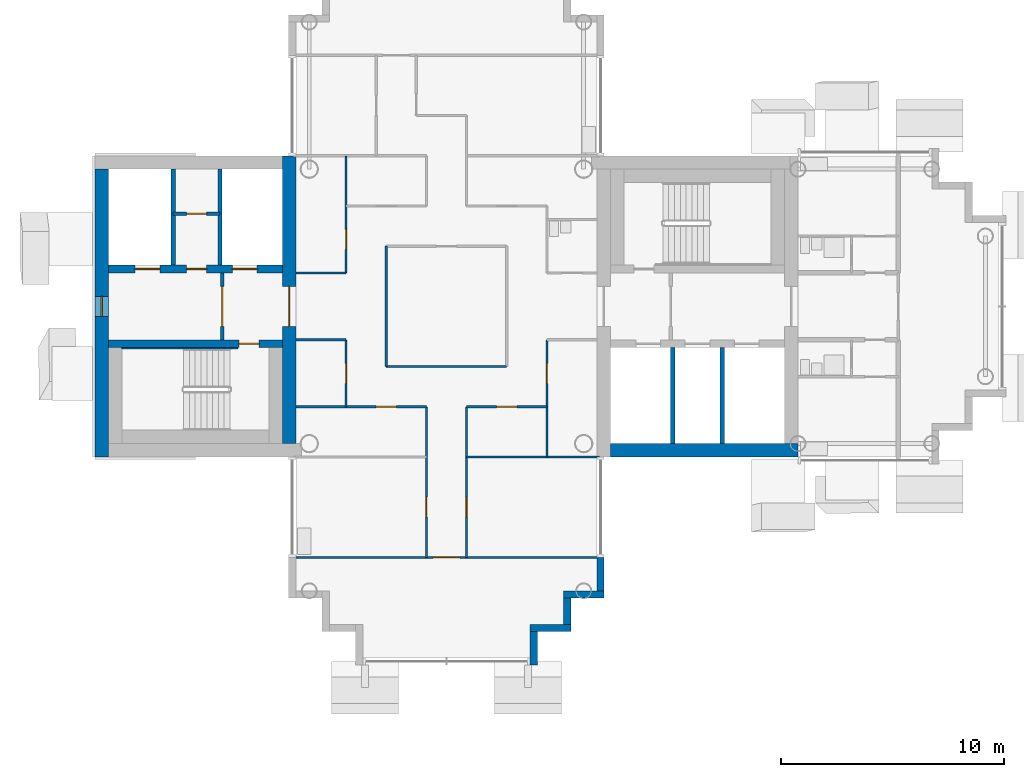
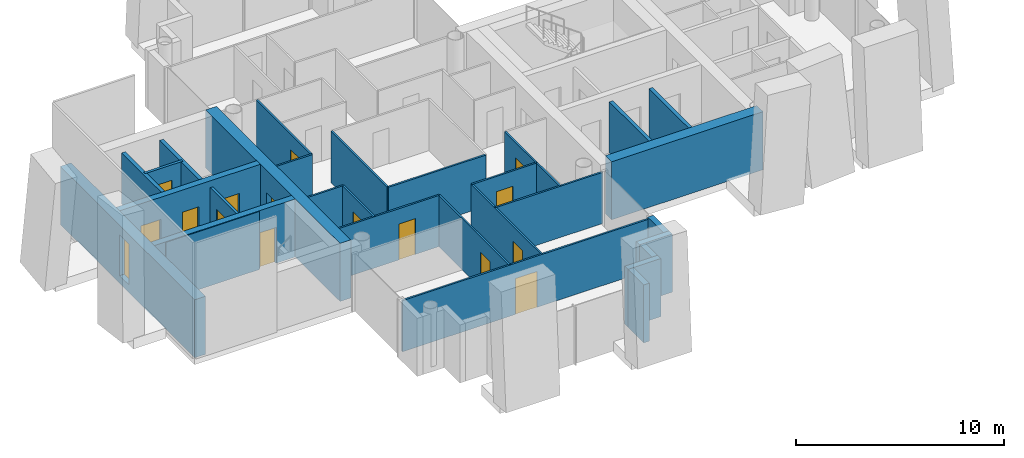
# One storey, part 6 of 19: 30 walls, 15 doors, 1 window, 16 openings.
"""IFC4 building model written with IfcOpenShell, lengths in metres."""

from ifc_helpers import new_model, si_unit, direction, frame, frame_2d, origin, place, context, subcontext, project, spatial, rectangle, extrude, material, layer, layer_set, type_object, element, fill, save


model = new_model("IFC4")

# Units and contexts
model_context = context("Model", 3, precision=1e-05, world=origin(), true_north=direction((0.0, 1.0)))
body_context = subcontext(model_context, "Body", "Model", "MODEL_VIEW")
ifc_project = project(units=[si_unit("LENGTHUNIT", "METRE"), si_unit("AREAUNIT", "SQUARE_METRE"), si_unit("VOLUMEUNIT", "CUBIC_METRE"), si_unit("PLANEANGLEUNIT", "RADIAN"), si_unit("MASSUNIT", "GRAM", prefix="KILO")], contexts=[model_context])

# Site, building, storey
site_placement = place(None, origin())
site = spatial("IfcSite", under=ifc_project, at=site_placement, CompositionType="ELEMENT")
building_placement = place(site_placement, origin())
building = spatial("IfcBuilding", under=site, at=building_placement, Name="Ipe Terrace Towers", CompositionType="ELEMENT")
storey_placement = place(building_placement, frame((0.0, 0.0, 189.199951171875)))
storey = spatial("IfcBuildingStorey", under=building, at=storey_placement, Name="L52", CompositionType="ELEMENT", Elevation=189.199951171875)

# Walls
ifc_material_1 = material(Name="Concrete C40/50 with buff precast cladding", Category="concrete")
ifc_layer_1 = layer(ifc_material_1, 0.320068359375)
ifc_layer_set_1 = layer_set([ifc_layer_1], Name="BUFF CLADDING WALL 320")
wall_type_1 = type_object("IfcWallType", Name="BUFF CLADDING WALL 320", PredefinedType="STANDARD", material=ifc_layer_set_1)
wall_1_placement = place(storey_placement, frame((-32.090087890625, -16.070068359375, -0.300048828125), z_axis=(0.0, 0.0, 1.0), x_axis=(0.0, 1.0, 0.0)))
element("IfcWall", 1, at=wall_1_placement, inside=storey, type_object=wall_type_1, Name="T1-W-L52-09a wall", PredefinedType="STANDARD", context=body_context, shape_type="SweptSolid", body=[
    extrude(rectangle(XDim=1.5, YDim=0.320068359375, at=frame_2d((0.75, 0.0))), origin(), (0.0, 0.0, 1.0), 3.400146484375),
])
wall_2_placement = place(storey_placement, frame((-32.25, -14.409912109375, -0.300048828125), z_axis=(0.0, 0.0, 1.0), x_axis=(1.0, 0.0, 0.0)))
element("IfcWall", 2, at=wall_2_placement, inside=storey, type_object=wall_type_1, Name="T1-W-L52-10a wall", PredefinedType="STANDARD", context=body_context, shape_type="SweptSolid", body=[
    extrude(rectangle(XDim=1.820068359375, YDim=0.320068359375, at=frame_2d((0.91015625, 0.0))), origin(), (0.0, 0.0, 1.0), 3.400146484375),
])
wall_3_placement = place(storey_placement, frame((-30.590087890625, -14.25, -0.300048828125), z_axis=(0.0, 0.0, 1.0), x_axis=(0.0, 1.0, 0.0)))
element("IfcWall", 3, at=wall_3_placement, inside=storey, type_object=wall_type_1, Name="T1-W-L52-11a wall", PredefinedType="STANDARD", context=body_context, shape_type="SweptSolid", body=[
    extrude(rectangle(XDim=1.179931640625, YDim=0.320068359375, at=frame_2d((0.58984375, 0.0))), origin(), (0.0, 0.0, 1.0), 3.400146484375),
])
wall_4_placement = place(storey_placement, frame((-30.75, -12.909912109375, -0.300048828125), z_axis=(0.0, 0.0, 1.0), x_axis=(1.0, 0.0, 0.0)))
element("IfcWall", 4, at=wall_4_placement, inside=storey, type_object=wall_type_1, Name="T1-W-L52-12a wall", PredefinedType="STANDARD", context=body_context, shape_type="SweptSolid", body=[
    extrude(rectangle(XDim=1.820068359375, YDim=0.320068359375, at=frame_2d((0.91015625, 0.0))), origin(), (0.0, 0.0, 1.0), 3.400146484375),
])
wall_5_placement = place(storey_placement, frame((-29.090087890625, -12.75, -0.300048828125), z_axis=(0.0, 0.0, 1.0), x_axis=(0.0, 1.0, 0.0)))
element("IfcWall", 5, at=wall_5_placement, inside=storey, type_object=wall_type_1, Name="T1-W-L52-13a wall", PredefinedType="STANDARD", context=body_context, shape_type="SweptSolid", body=[
    extrude(rectangle(XDim=1.5, YDim=0.320068359375, at=frame_2d((0.75, 0.0))), origin(), (0.0, 0.0, 1.0), 3.400146484375),
])

# Wall, opening, door
ifc_material_2 = material(Name="Gypsum board partition", Category="plasterboard")
ifc_layer_2 = layer(ifc_material_2, 0.10009765625)
ifc_layer_set_2 = layer_set([ifc_layer_2], Name="Gypsum board partition 100 mm")
wall_type_2 = type_object("IfcWallType", Name="Gypsum board partition 100 mm", PredefinedType="PARTITIONING", material=ifc_layer_set_2)
wall_6_placement = place(storey_placement, frame((-40.5, -4.5, 0.0), z_axis=(0.0, 0.0, 1.0), x_axis=(0.0, 1.0, 0.0)))
wall_6 = element("IfcWall", 6, at=wall_6_placement, inside=storey, type_object=wall_type_2, Name="Gypsum board partition T1 L52 W01", PredefinedType="PARTITIONING", context=body_context, shape_type="SweptSolid", body=[
    extrude(rectangle(XDim=3.0, YDim=0.10009765625, at=frame_2d((1.5, 0.0))), origin(), (0.0, 0.0, 1.0), 3.0),
])
opening_1_placement = place(wall_6_placement, frame((1.050048828125, 0.0, 0.0)))
opening_1 = element("IfcOpeningElement", 7, at=opening_1_placement, cuts=wall_6, Name="Opening T1-Z4C-07", PredefinedType="OPENING", context=body_context, shape_type="SweptSolid", body=[
    extrude(rectangle(XDim=0.89990234375, YDim=2.10009765625, at=frame_2d((0.449951171875, 1.050048828125))), frame((0.0, 0.06005859375, 0.0), z_axis=(0.0, -1.0, 0.0), x_axis=(1.0, 0.0, 0.0)), (0.0, 0.0, 1.0), 0.1201171875),
])
ifc_material_3 = material(Name="Timber door leaf", Category="wood")
door_type_1 = type_object("IfcDoorType", Name="Lounge door 900 x 2100", OperationType="NOTDEFINED", PredefinedType="DOOR", material=ifc_material_3)
door_1_placement = place(opening_1_placement, origin())
door_1 = element("IfcDoor", 8, at=door_1_placement, inside=storey, type_object=door_type_1, Name="Lounge door T1-Z4C-07", OperationType="SINGLE_SWING_LEFT", OverallHeight=2.10009765625, OverallWidth=0.89990234375, PredefinedType="DOOR", context=body_context, shape_type="SweptSolid", body=[
    extrude(rectangle(XDim=0.89990234375, YDim=2.10009765625, at=frame_2d((0.449951171875, 1.050048828125))), frame((0.0, 0.02490234375, 0.0), z_axis=(0.0, -1.0, 0.0), x_axis=(1.0, 0.0, 0.0)), (0.0, 0.0, 1.0), 0.050048828125),
])
fill(opening_1, door_1)

wall_7_placement = place(storey_placement, frame((-40.5, 1.5, 0.0), z_axis=(0.0, 0.0, 1.0), x_axis=(0.0, 1.0, 0.0)))
wall_7 = element("IfcWall", 9, at=wall_7_placement, inside=storey, type_object=wall_type_2, Name="Gypsum board partition T1 L52 W02", PredefinedType="PARTITIONING", context=body_context, shape_type="SweptSolid", body=[
    extrude(rectangle(XDim=5.25, YDim=0.10009765625, at=frame_2d((2.625, 0.0))), origin(), (0.0, 0.0, 1.0), 3.0),
])
opening_2_placement = place(wall_7_placement, frame((1.050048828125, 0.0, 0.0)))
opening_2 = element("IfcOpeningElement", 10, at=opening_2_placement, cuts=wall_7, Name="Opening T1-Z4C-05", PredefinedType="OPENING", context=body_context, shape_type="SweptSolid", body=[
    extrude(rectangle(XDim=0.89990234375, YDim=2.10009765625, at=frame_2d((0.449951171875, 1.050048828125))), frame((0.0, 0.06005859375, 0.0), z_axis=(0.0, -1.0, 0.0), x_axis=(1.0, 0.0, 0.0)), (0.0, 0.0, 1.0), 0.1201171875),
])
door_2_placement = place(opening_2_placement, origin())
door_2 = element("IfcDoor", 11, at=door_2_placement, inside=storey, type_object=door_type_1, Name="Lounge door T1-Z4C-05", OperationType="SINGLE_SWING_RIGHT", OverallHeight=2.10009765625, OverallWidth=0.89990234375, PredefinedType="DOOR", context=body_context, shape_type="SweptSolid", body=[
    extrude(rectangle(XDim=0.89990234375, YDim=2.10009765625, at=frame_2d((0.449951171875, 1.050048828125))), frame((0.0, 0.02490234375, 0.0), z_axis=(0.0, -1.0, 0.0), x_axis=(1.0, 0.0, 0.0)), (0.0, 0.0, 1.0), 0.050048828125),
])
fill(opening_2, door_2)

# Wall
wall_8_placement = place(storey_placement, frame((-38.699951171875, -2.699951171875, 0.0), z_axis=(0.0, 0.0, 1.0), x_axis=(0.0, 1.0, 0.0)))
element("IfcWall", 12, at=wall_8_placement, inside=storey, type_object=wall_type_2, Name="Gypsum board partition T1 L52 W04", PredefinedType="PARTITIONING", context=body_context, shape_type="SweptSolid", body=[
    extrude(rectangle(XDim=5.39990234375, YDim=0.10009765625, at=frame_2d((2.699951171875, 0.0))), origin(), (0.0, 0.0, 1.0), 3.0),
])

# Wall, opening, door
wall_9_placement = place(storey_placement, frame((-36.89990234375, -11.25, 0.0), z_axis=(0.0, 0.0, 1.0), x_axis=(0.0, 1.0, 0.0)))
wall_9 = element("IfcWall", 13, at=wall_9_placement, inside=storey, type_object=wall_type_2, Name="Gypsum board partition T1 L52 W06", PredefinedType="PARTITIONING", context=body_context, shape_type="SweptSolid", body=[
    extrude(rectangle(XDim=6.75, YDim=0.10009765625, at=frame_2d((3.375, 0.0))), origin(), (0.0, 0.0, 1.0), 3.0),
])
opening_3_placement = place(wall_9_placement, frame((1.800048828125, 0.0, 0.0)))
opening_3 = element("IfcOpeningElement", 14, at=opening_3_placement, cuts=wall_9, Name="Opening T1-Z4C-14", PredefinedType="OPENING", context=body_context, shape_type="SweptSolid", body=[
    extrude(rectangle(XDim=0.89990234375, YDim=2.10009765625, at=frame_2d((0.449951171875, 1.050048828125))), frame((0.0, 0.06005859375, 0.0), z_axis=(0.0, -1.0, 0.0), x_axis=(1.0, 0.0, 0.0)), (0.0, 0.0, 1.0), 0.1201171875),
])
door_3_placement = place(opening_3_placement, origin())
door_3 = element("IfcDoor", 15, at=door_3_placement, inside=storey, type_object=door_type_1, Name="Lounge door T1-Z4C-14", OperationType="SINGLE_SWING_RIGHT", OverallHeight=2.10009765625, OverallWidth=0.89990234375, PredefinedType="DOOR", context=body_context, shape_type="SweptSolid", body=[
    extrude(rectangle(XDim=0.89990234375, YDim=2.10009765625, at=frame_2d((0.449951171875, 1.050048828125))), frame((0.0, 0.02490234375, 0.0), z_axis=(0.0, -1.0, 0.0), x_axis=(1.0, 0.0, 0.0)), (0.0, 0.0, 1.0), 0.050048828125),
])
fill(opening_3, door_3)

wall_10_placement = place(storey_placement, frame((-35.10009765625, -11.25, 0.0), z_axis=(0.0, 0.0, 1.0), x_axis=(0.0, 1.0, 0.0)))
wall_10 = element("IfcWall", 16, at=wall_10_placement, inside=storey, type_object=wall_type_2, Name="Gypsum board partition T1 L52 W08", PredefinedType="PARTITIONING", context=body_context, shape_type="SweptSolid", body=[
    extrude(rectangle(XDim=6.75, YDim=0.10009765625, at=frame_2d((3.375, 0.0))), origin(), (0.0, 0.0, 1.0), 3.0),
])
opening_4_placement = place(wall_10_placement, frame((1.800048828125, 0.0, 0.0)))
opening_4 = element("IfcOpeningElement", 17, at=opening_4_placement, cuts=wall_10, Name="Opening T1-Z4C-13", PredefinedType="OPENING", context=body_context, shape_type="SweptSolid", body=[
    extrude(rectangle(XDim=0.89990234375, YDim=2.10009765625, at=frame_2d((0.449951171875, 1.050048828125))), frame((0.0, 0.06005859375, 0.0), z_axis=(0.0, -1.0, 0.0), x_axis=(1.0, 0.0, 0.0)), (0.0, 0.0, 1.0), 0.1201171875),
])
door_4_placement = place(opening_4_placement, origin())
door_4 = element("IfcDoor", 18, at=door_4_placement, inside=storey, type_object=door_type_1, Name="Lounge door T1-Z4C-13", OperationType="SINGLE_SWING_LEFT", OverallHeight=2.10009765625, OverallWidth=0.89990234375, PredefinedType="DOOR", context=body_context, shape_type="SweptSolid", body=[
    extrude(rectangle(XDim=0.89990234375, YDim=2.10009765625, at=frame_2d((0.449951171875, 1.050048828125))), frame((0.0, 0.02490234375, 0.0), z_axis=(0.0, -1.0, 0.0), x_axis=(1.0, 0.0, 0.0)), (0.0, 0.0, 1.0), 0.050048828125),
])
fill(opening_4, door_4)

wall_11_placement = place(storey_placement, frame((-31.5, -6.75, 0.0), z_axis=(0.0, 0.0, 1.0), x_axis=(0.0, 1.0, 0.0)))
wall_11 = element("IfcWall", 19, at=wall_11_placement, inside=storey, type_object=wall_type_2, Name="Gypsum board partition T1 L52 W11", PredefinedType="PARTITIONING", context=body_context, shape_type="SweptSolid", body=[
    extrude(rectangle(XDim=5.25, YDim=0.10009765625, at=frame_2d((2.625, 0.0))), origin(), (0.0, 0.0, 1.0), 3.0),
])
opening_5_placement = place(wall_11_placement, frame((3.300048828125, 0.0, 0.0)))
opening_5 = element("IfcOpeningElement", 20, at=opening_5_placement, cuts=wall_11, Name="Opening T1-Z4C-09", PredefinedType="OPENING", context=body_context, shape_type="SweptSolid", body=[
    extrude(rectangle(XDim=0.89990234375, YDim=2.10009765625, at=frame_2d((0.449951171875, 1.050048828125))), frame((0.0, 0.06005859375, 0.0), z_axis=(0.0, -1.0, 0.0), x_axis=(1.0, 0.0, 0.0)), (0.0, 0.0, 1.0), 0.1201171875),
])
door_5_placement = place(opening_5_placement, origin())
door_5 = element("IfcDoor", 21, at=door_5_placement, inside=storey, type_object=door_type_1, Name="Lounge door T1-Z4C-09", OperationType="SINGLE_SWING_RIGHT", OverallHeight=2.10009765625, OverallWidth=0.89990234375, PredefinedType="DOOR", context=body_context, shape_type="SweptSolid", body=[
    extrude(rectangle(XDim=0.89990234375, YDim=2.10009765625, at=frame_2d((0.449951171875, 1.050048828125))), frame((0.0, 0.02490234375, 0.0), z_axis=(0.0, -1.0, 0.0), x_axis=(1.0, 0.0, 0.0)), (0.0, 0.0, 1.0), 0.050048828125),
])
fill(opening_5, door_5)

wall_12_placement = place(storey_placement, frame((-42.85009765625, -11.25, 0.0), z_axis=(0.0, 0.0, 1.0), x_axis=(1.0, 0.0, 0.0)))
wall_12 = element("IfcWall", 22, at=wall_12_placement, inside=storey, type_object=wall_type_2, Name="Gypsum board partition T1 L52 W18", PredefinedType="PARTITIONING", context=body_context, shape_type="SweptSolid", body=[
    extrude(rectangle(XDim=13.7001953125, YDim=0.10009765625, at=frame_2d((6.85009765625, 0.0))), origin(), (0.0, 0.0, 1.0), 3.0),
])
opening_6_placement = place(wall_12_placement, frame((6.25, 0.0, 0.0)))
opening_6 = element("IfcOpeningElement", 23, at=opening_6_placement, cuts=wall_12, Name="Opening T1-Z4C-15", PredefinedType="OPENING", context=body_context, shape_type="SweptSolid", body=[
    extrude(rectangle(XDim=1.199951171875, YDim=2.10009765625, at=frame_2d((0.60009765625, 1.050048828125))), frame((0.0, 0.06005859375, 0.0), z_axis=(0.0, -1.0, 0.0), x_axis=(1.0, 0.0, 0.0)), (0.0, 0.0, 1.0), 0.1201171875),
])
ifc_material_4 = material(Name="Timber door leaf", Category="wood")
door_type_2 = type_object("IfcDoorType", Name="Lounge door 1200 x 2100", OperationType="NOTDEFINED", PredefinedType="DOOR", material=ifc_material_4)
door_6_placement = place(opening_6_placement, origin())
door_6 = element("IfcDoor", 24, at=door_6_placement, inside=storey, type_object=door_type_2, Name="Lounge door T1-Z4C-15", OperationType="SINGLE_SWING_RIGHT", OverallHeight=2.10009765625, OverallWidth=1.199951171875, PredefinedType="DOOR", context=body_context, shape_type="SweptSolid", body=[
    extrude(rectangle(XDim=1.199951171875, YDim=2.10009765625, at=frame_2d((0.60009765625, 1.050048828125))), frame((0.0, 0.02490234375, 0.0), z_axis=(0.0, -1.0, 0.0), x_axis=(1.0, 0.0, 0.0)), (0.0, 0.0, 1.0), 0.050048828125),
])
fill(opening_6, door_6)

# Wall
wall_13_placement = place(storey_placement, frame((-35.10009765625, -6.75, 0.0), z_axis=(0.0, 0.0, 1.0), x_axis=(1.0, 0.0, 0.0)))
element("IfcWall", 25, at=wall_13_placement, inside=storey, type_object=wall_type_2, Name="Gypsum board partition T1 L52 W20", PredefinedType="PARTITIONING", context=body_context, shape_type="SweptSolid", body=[
    extrude(rectangle(XDim=5.9501953125, YDim=0.10009765625, at=frame_2d((2.97509765625, 0.0))), origin(), (0.0, 0.0, 1.0), 3.0),
])

# Wall, opening, door
wall_14_placement = place(storey_placement, frame((-42.75, -4.5, 0.0), z_axis=(0.0, 0.0, 1.0), x_axis=(1.0, 0.0, 0.0)))
wall_14 = element("IfcWall", 26, at=wall_14_placement, inside=storey, type_object=wall_type_2, Name="Gypsum board partition T1 L52 W21", PredefinedType="PARTITIONING", context=body_context, shape_type="SweptSolid", body=[
    extrude(rectangle(XDim=5.85009765625, YDim=0.10009765625, at=frame_2d((2.925048828125, 0.0))), origin(), (0.0, 0.0, 1.0), 3.0),
])
opening_7_placement = place(wall_14_placement, frame((3.60009765625, 0.0, 0.0)))
opening_7 = element("IfcOpeningElement", 27, at=opening_7_placement, cuts=wall_14, Name="Opening T1-Z4C-06", PredefinedType="OPENING", context=body_context, shape_type="SweptSolid", body=[
    extrude(rectangle(XDim=0.89990234375, YDim=2.10009765625, at=frame_2d((0.449951171875, 1.050048828125))), frame((0.0, 0.06005859375, 0.0), z_axis=(0.0, -1.0, 0.0), x_axis=(1.0, 0.0, 0.0)), (0.0, 0.0, 1.0), 0.1201171875),
])
door_7_placement = place(opening_7_placement, origin())
door_7 = element("IfcDoor", 28, at=door_7_placement, inside=storey, type_object=door_type_1, Name="Lounge door T1-Z4C-06", OperationType="SINGLE_SWING_RIGHT", OverallHeight=2.10009765625, OverallWidth=0.89990234375, PredefinedType="DOOR", context=body_context, shape_type="SweptSolid", body=[
    extrude(rectangle(XDim=0.89990234375, YDim=2.10009765625, at=frame_2d((0.449951171875, 1.050048828125))), frame((0.0, 0.02490234375, 0.0), z_axis=(0.0, -1.0, 0.0), x_axis=(1.0, 0.0, 0.0)), (0.0, 0.0, 1.0), 0.050048828125),
])
fill(opening_7, door_7)

wall_15_placement = place(storey_placement, frame((-35.10009765625, -4.5, 0.0), z_axis=(0.0, 0.0, 1.0), x_axis=(1.0, 0.0, 0.0)))
wall_15 = element("IfcWall", 29, at=wall_15_placement, inside=storey, type_object=wall_type_2, Name="Gypsum board partition T1 L52 W22", PredefinedType="PARTITIONING", context=body_context, shape_type="SweptSolid", body=[
    extrude(rectangle(XDim=3.60009765625, YDim=0.10009765625, at=frame_2d((1.800048828125, 0.0))), origin(), (0.0, 0.0, 1.0), 3.0),
])
opening_8_placement = place(wall_15_placement, frame((1.35009765625, 0.0, 0.0)))
opening_8 = element("IfcOpeningElement", 30, at=opening_8_placement, cuts=wall_15, Name="Opening T1-Z4C-08", PredefinedType="OPENING", context=body_context, shape_type="SweptSolid", body=[
    extrude(rectangle(XDim=0.89990234375, YDim=2.10009765625, at=frame_2d((0.449951171875, 1.050048828125))), frame((0.0, 0.06005859375, 0.0), z_axis=(0.0, -1.0, 0.0), x_axis=(1.0, 0.0, 0.0)), (0.0, 0.0, 1.0), 0.1201171875),
])
door_8_placement = place(opening_8_placement, origin())
door_8 = element("IfcDoor", 31, at=door_8_placement, inside=storey, type_object=door_type_1, Name="Lounge door T1-Z4C-08", OperationType="SINGLE_SWING_RIGHT", OverallHeight=2.10009765625, OverallWidth=0.89990234375, PredefinedType="DOOR", context=body_context, shape_type="SweptSolid", body=[
    extrude(rectangle(XDim=0.89990234375, YDim=2.10009765625, at=frame_2d((0.449951171875, 1.050048828125))), frame((0.0, 0.02490234375, 0.0), z_axis=(0.0, -1.0, 0.0), x_axis=(1.0, 0.0, 0.0)), (0.0, 0.0, 1.0), 0.050048828125),
])
fill(opening_8, door_8)

# Walls
wall_16_placement = place(storey_placement, frame((-38.699951171875, -2.699951171875, 0.0), z_axis=(0.0, 0.0, 1.0), x_axis=(1.0, 0.0, 0.0)))
element("IfcWall", 32, at=wall_16_placement, inside=storey, type_object=wall_type_2, Name="Gypsum board partition T1 L52 W24", PredefinedType="PARTITIONING", context=body_context, shape_type="SweptSolid", body=[
    extrude(rectangle(XDim=5.39990234375, YDim=0.10009765625, at=frame_2d((2.699951171875, 0.0))), origin(), (0.0, 0.0, 1.0), 3.0),
])
for number, where, z_axis, x_axis, name in (
    (33, (-42.75, -1.5, 0.0), (0.0, 0.0, 1.0), (1.0, 0.0, 0.0), "Gypsum board partition T1 L52 W25"),
    (34, (-42.75, 1.5, 0.0), (0.0, 0.0, 1.0), (1.0, 0.0, 0.0), "Gypsum board partition T1 L52 W28"),
):
    element("IfcWall", number, at=place(storey_placement, frame(where, z_axis=z_axis, x_axis=x_axis)), inside=storey, type_object=wall_type_2, Name=name, PredefinedType="PARTITIONING", context=body_context, shape_type="SweptSolid", body=[
        extrude(rectangle(XDim=2.25, YDim=0.10009765625, at=frame_2d((1.125, 0.0))), origin(), (0.0, 0.0, 1.0), 3.0),
    ])

# Wall, opening, door
ifc_material_5 = material(Name="Gypsum board partition", Category="plasterboard")
ifc_layer_3 = layer(ifc_material_5, 0.14990234375)
ifc_layer_set_3 = layer_set([ifc_layer_3], Name="Gypsum board partition 150 mm")
wall_type_3 = type_object("IfcWallType", Name="Gypsum board partition 150 mm", PredefinedType="PARTITIONING", material=ifc_layer_set_3)
wall_17_placement = place(storey_placement, frame((-46.050048828125, 1.5, 0.0), z_axis=(0.0, 0.0, 1.0), x_axis=(0.0, -1.0, 0.0)))
wall_17 = element("IfcWall", 35, at=wall_17_placement, inside=storey, type_object=wall_type_3, Name="Gypsum board partition T1 L52 t1c2-lobby-wall", PredefinedType="PARTITIONING", context=body_context, shape_type="SweptSolid", body=[
    extrude(rectangle(XDim=3.0, YDim=0.14990234375, at=frame_2d((1.5, 0.0))), origin(), (0.0, 0.0, 1.0), 3.0),
])
opening_9_placement = place(wall_17_placement, frame((0.60009765625, 0.0, 0.0)))
opening_9 = element("IfcOpeningElement", 36, at=opening_9_placement, cuts=wall_17, Name="Opening T1C2-VD", PredefinedType="OPENING", context=body_context, shape_type="SweptSolid", body=[
    extrude(rectangle(XDim=1.800048828125, YDim=2.10009765625, at=frame_2d((0.89990234375, 1.050048828125))), frame((0.0, 0.0849609375, 0.0), z_axis=(0.0, -1.0, 0.0), x_axis=(1.0, 0.0, 0.0)), (0.0, 0.0, 1.0), 0.169921875),
])
ifc_material_6 = material(Name="Fire-rated timber door leaf", Category="wood")
door_type_3 = type_object("IfcDoorType", Name="Lobby door 1800 x 2100 FD60", OperationType="NOTDEFINED", PredefinedType="DOOR", material=ifc_material_6)
door_9_placement = place(opening_9_placement, origin())
door_9 = element("IfcDoor", 37, at=door_9_placement, inside=storey, type_object=door_type_3, Name="Lobby door T1C2-VD", OperationType="SINGLE_SWING_LEFT", OverallHeight=2.10009765625, OverallWidth=1.800048828125, PredefinedType="DOOR", context=body_context, shape_type="SweptSolid", body=[
    extrude(rectangle(XDim=1.800048828125, YDim=2.10009765625, at=frame_2d((0.89990234375, 1.050048828125))), frame((0.0, 0.02490234375, 0.0), z_axis=(0.0, -1.0, 0.0), x_axis=(1.0, 0.0, 0.0)), (0.0, 0.0, 1.0), 0.050048828125),
])
fill(opening_9, door_9)

wall_18_placement = place(storey_placement, frame((-46.14990234375, 4.14990234375, 0.0), z_axis=(0.0, 0.0, 1.0), x_axis=(-1.0, 0.0, 0.0)))
wall_18 = element("IfcWall", 38, at=wall_18_placement, inside=storey, type_object=wall_type_3, Name="Gypsum board partition T1 L52 t1c2-q-back", PredefinedType="PARTITIONING", context=body_context, shape_type="SweptSolid", body=[
    extrude(rectangle(XDim=2.10009765625, YDim=0.14990234375, at=frame_2d((1.050048828125, 0.0))), origin(), (0.0, 0.0, 1.0), 3.0),
])
opening_10_placement = place(wall_18_placement, frame((0.60009765625, 0.0, 0.0)))
opening_10 = element("IfcOpeningElement", 39, at=opening_10_placement, cuts=wall_18, Name="Opening T1C2-RB-FD30S", PredefinedType="OPENING", context=body_context, shape_type="SweptSolid", body=[
    extrude(rectangle(XDim=0.89990234375, YDim=2.10009765625, at=frame_2d((0.449951171875, 1.050048828125))), frame((0.0, 0.0849609375, 0.0), z_axis=(0.0, -1.0, 0.0), x_axis=(1.0, 0.0, 0.0)), (0.0, 0.0, 1.0), 0.169921875),
])
ifc_material_7 = material(Name="Fire-rated timber door leaf", Category="wood")
door_type_4 = type_object("IfcDoorType", Name="Service door 900 x 2100 FD30S", OperationType="NOTDEFINED", PredefinedType="DOOR", material=ifc_material_7)
door_10_placement = place(opening_10_placement, origin())
door_10 = element("IfcDoor", 40, at=door_10_placement, inside=storey, type_object=door_type_4, Name="Service door T1C2-RB-FD30S", OperationType="SINGLE_SWING_LEFT", OverallHeight=2.10009765625, OverallWidth=0.89990234375, PredefinedType="DOOR", context=body_context, shape_type="SweptSolid", body=[
    extrude(rectangle(XDim=0.89990234375, YDim=2.10009765625, at=frame_2d((0.449951171875, 1.050048828125))), frame((0.0, 0.02490234375, 0.0), z_axis=(0.0, -1.0, 0.0), x_axis=(1.0, 0.0, 0.0)), (0.0, 0.0, 1.0), 0.050048828125),
])
fill(opening_10, door_10)

# Walls
ifc_material_8 = material(Name="Gypsum board party wall", Category="plasterboard")
ifc_layer_4 = layer(ifc_material_8, 0.199951171875)
ifc_layer_set_4 = layer_set([ifc_layer_4], Name="Gypsum board party wall 200 mm")
wall_type_4 = type_object("IfcWallType", Name="Gypsum board party wall 200 mm", PredefinedType="SOLIDWALL", material=ifc_layer_set_4)
for number, where, z_axis, x_axis, name in (
    (41, (-25.85009765625, -6.14990234375, 0.0), (0.0, 0.0, 1.0), (0.0, 1.0, 0.0), "Gypsum board party wall T1 L52 t1c1-shaft-div1"),
    (42, (-23.64990234375, -6.14990234375, 0.0), (0.0, 0.0, 1.0), (0.0, 1.0, 0.0), "Gypsum board party wall T1 L52 t1c1-shaft-div2"),
    (43, (-48.25, 6.14990234375, 0.0), (0.0, 0.0, 1.0), (0.0, -1.0, 0.0), "Gypsum board party wall T1 L52 t1c2-shaft-div2"),
    (44, (-46.14990234375, 6.14990234375, 0.0), (0.0, 0.0, 1.0), (0.0, -1.0, 0.0), "Gypsum board party wall T1 L52 t1c2-shaft-div1"),
):
    element("IfcWall", number, at=place(storey_placement, frame(where, z_axis=z_axis, x_axis=x_axis)), inside=storey, type_object=wall_type_4, Name=name, PredefinedType="SOLIDWALL", context=body_context, shape_type="SweptSolid", body=[
        extrude(rectangle(XDim=4.2998046875, YDim=0.199951171875, at=frame_2d((2.14990234375, 0.0))), origin(), (0.0, 0.0, 1.0), 3.0),
    ])

# Wall, opening, door
ifc_material_9 = material(Name="Concrete C40/50", Category="concrete")
ifc_layer_5 = layer(ifc_material_9, 0.35009765625)
ifc_layer_set_5 = layer_set([ifc_layer_5], Name="RW350 CORE SPINE WALL 350 C40-50")
wall_type_5 = type_object("IfcWallType", Name="RW350 CORE SPINE WALL 350 C40-50", PredefinedType="SHEAR", material=ifc_layer_set_5)
wall_19_placement = place(storey_placement, frame((-51.14990234375, -1.675048828125, 0.0), z_axis=(0.0, 0.0, 1.0), x_axis=(1.0, 0.0, 0.0)))
wall_19 = element("IfcWall", 45, at=wall_19_placement, inside=storey, type_object=wall_type_5, Name="Core spine wall T1-C2-Z4-SW1", PredefinedType="SHEAR", context=body_context, shape_type="SweptSolid", body=[
    extrude(rectangle(XDim=7.7998046875, YDim=0.35009765625, at=frame_2d((3.89990234375, 0.0))), origin(), (0.0, 0.0, 1.0), 3.400146484375),
])
opening_11_placement = place(wall_19_placement, frame((5.85009765625, 0.0, 0.0)))
opening_11 = element("IfcOpeningElement", 46, at=opening_11_placement, cuts=wall_19, Name="Opening T1C2-SD", PredefinedType="OPENING", context=body_context, shape_type="SweptSolid", body=[
    extrude(rectangle(XDim=0.89990234375, YDim=2.10009765625, at=frame_2d((0.449951171875, 1.050048828125))), frame((0.0, 0.18505859375, 0.0), z_axis=(0.0, -1.0, 0.0), x_axis=(1.0, 0.0, 0.0)), (0.0, 0.0, 1.0), 0.3701171875),
])
ifc_material_10 = material(Name="Fire-rated timber door leaf", Category="wood")
door_type_5 = type_object("IfcDoorType", Name="Stair door 900 x 2100 FD60", OperationType="NOTDEFINED", PredefinedType="DOOR", material=ifc_material_10)
door_11_placement = place(opening_11_placement, origin())
door_11 = element("IfcDoor", 47, at=door_11_placement, inside=storey, type_object=door_type_5, Name="Stair door T1C2-SD", OperationType="SINGLE_SWING_RIGHT", OverallHeight=2.10009765625, OverallWidth=0.89990234375, PredefinedType="DOOR", context=body_context, shape_type="SweptSolid", body=[
    extrude(rectangle(XDim=0.89990234375, YDim=2.10009765625, at=frame_2d((0.449951171875, 1.050048828125))), frame((0.0, 0.02490234375, 0.0), z_axis=(0.0, -1.0, 0.0), x_axis=(1.0, 0.0, 0.0)), (0.0, 0.0, 1.0), 0.050048828125),
])
fill(opening_11, door_11)

# Wall, openings, doors
wall_20_placement = place(storey_placement, frame((-51.14990234375, 1.675048828125, 0.0), z_axis=(0.0, 0.0, 1.0), x_axis=(1.0, 0.0, 0.0)))
wall_20 = element("IfcWall", 48, at=wall_20_placement, inside=storey, type_object=wall_type_5, Name="Core spine wall T1-C2-Z4-SW2", PredefinedType="SHEAR", context=body_context, shape_type="SweptSolid", body=[
    extrude(rectangle(XDim=7.7998046875, YDim=0.35009765625, at=frame_2d((3.89990234375, 0.0))), origin(), (0.0, 0.0, 1.0), 3.400146484375),
])
opening_12_placement = place(wall_20_placement, frame((5.550048828125, 0.0, 0.0)))
opening_12 = element("IfcOpeningElement", 49, at=opening_12_placement, cuts=wall_20, Name="Opening T1C2-LD1", PredefinedType="OPENING", context=body_context, shape_type="SweptSolid", body=[
    extrude(rectangle(XDim=1.10009765625, YDim=2.10009765625, at=frame_2d((0.550048828125, 1.050048828125))), frame((0.0, 0.18505859375, 0.0), z_axis=(0.0, -1.0, 0.0), x_axis=(1.0, 0.0, 0.0)), (0.0, 0.0, 1.0), 0.3701171875),
])
opening_13_placement = place(wall_20_placement, frame((1.199951171875, 0.0, 0.0)))
opening_13 = element("IfcOpeningElement", 50, at=opening_13_placement, cuts=wall_20, Name="Opening T1C2-LD3", PredefinedType="OPENING", context=body_context, shape_type="SweptSolid", body=[
    extrude(rectangle(XDim=1.10009765625, YDim=2.10009765625, at=frame_2d((0.550048828125, 1.050048828125))), frame((0.0, 0.18505859375, 0.0), z_axis=(0.0, -1.0, 0.0), x_axis=(1.0, 0.0, 0.0)), (0.0, 0.0, 1.0), 0.3701171875),
])
opening_14_placement = place(wall_20_placement, frame((3.5, 0.0, 0.0)))
opening_14 = element("IfcOpeningElement", 51, at=opening_14_placement, cuts=wall_20, Name="Opening T1C2-R1-NR", PredefinedType="OPENING", context=body_context, shape_type="SweptSolid", body=[
    extrude(rectangle(XDim=0.89990234375, YDim=2.10009765625, at=frame_2d((0.449951171875, 1.050048828125))), frame((0.0, 0.18505859375, 0.0), z_axis=(0.0, -1.0, 0.0), x_axis=(1.0, 0.0, 0.0)), (0.0, 0.0, 1.0), 0.3701171875),
])
ifc_material_11 = material(Name="Fire-rated timber door leaf", Category="wood")
door_type_6 = type_object("IfcDoorType", Name="Sliding door 1100 x 2100 FD60", OperationType="SLIDING_TO_LEFT", PredefinedType="DOOR", material=ifc_material_11)
door_12_placement = place(opening_12_placement, origin())
door_12 = element("IfcDoor", 52, at=door_12_placement, inside=storey, type_object=door_type_6, Name="Sliding door T1C2-LD1", OperationType="SLIDING_TO_LEFT", OverallHeight=2.10009765625, OverallWidth=1.10009765625, PredefinedType="DOOR", context=body_context, shape_type="SweptSolid", body=[
    extrude(rectangle(XDim=1.10009765625, YDim=2.10009765625, at=frame_2d((0.550048828125, 1.050048828125))), frame((0.0, 0.02490234375, 0.0), z_axis=(0.0, -1.0, 0.0), x_axis=(1.0, 0.0, 0.0)), (0.0, 0.0, 1.0), 0.050048828125),
])
fill(opening_12, door_12)
door_13_placement = place(opening_13_placement, origin())
door_13 = element("IfcDoor", 53, at=door_13_placement, inside=storey, type_object=door_type_6, Name="Sliding door T1C2-LD3", OperationType="SLIDING_TO_LEFT", OverallHeight=2.10009765625, OverallWidth=1.10009765625, PredefinedType="DOOR", context=body_context, shape_type="SweptSolid", body=[
    extrude(rectangle(XDim=1.10009765625, YDim=2.10009765625, at=frame_2d((0.550048828125, 1.050048828125))), frame((0.0, 0.02490234375, 0.0), z_axis=(0.0, -1.0, 0.0), x_axis=(1.0, 0.0, 0.0)), (0.0, 0.0, 1.0), 0.050048828125),
])
fill(opening_13, door_13)
ifc_material_12 = material(Name="Timber door leaf", Category="wood")
door_type_7 = type_object("IfcDoorType", Name="Store door 900 x 2100", OperationType="NOTDEFINED", PredefinedType="DOOR", material=ifc_material_12)
door_14_placement = place(opening_14_placement, origin())
door_14 = element("IfcDoor", 54, at=door_14_placement, inside=storey, type_object=door_type_7, Name="Store door T1C2-R1-NR", OperationType="SINGLE_SWING_LEFT", OverallHeight=2.10009765625, OverallWidth=0.89990234375, PredefinedType="DOOR", context=body_context, shape_type="SweptSolid", body=[
    extrude(rectangle(XDim=0.89990234375, YDim=2.10009765625, at=frame_2d((0.449951171875, 1.050048828125))), frame((0.0, 0.02490234375, 0.0), z_axis=(0.0, -1.0, 0.0), x_axis=(1.0, 0.0, 0.0)), (0.0, 0.0, 1.0), 0.050048828125),
])
fill(opening_14, door_14)

# Walls
ifc_material_13 = material(Name="Concrete C40/50", Category="concrete")
ifc_layer_6 = layer(ifc_material_13, 0.050048828125)
ifc_layer_set_6 = layer_set([ifc_layer_6], Name="RW50 CORE INFILL WALL 50 C40-50")
wall_type_6 = type_object("IfcWallType", Name="RW50 CORE INFILL WALL 50 C40-50", PredefinedType="SHEAR", material=ifc_layer_set_6)
wall_21_placement = place(storey_placement, frame((-45.35009765625, -1.875, 0.0), z_axis=(0.0, 0.0, 1.0), x_axis=(-1.0, 0.0, 0.0)))
element("IfcWall", 55, at=wall_21_placement, inside=storey, type_object=wall_type_6, Name="Core infill wall T1-C2-spine-b", PredefinedType="SHEAR", context=body_context, shape_type="SweptSolid", body=[
    extrude(rectangle(XDim=5.199951171875, YDim=0.050048828125, at=frame_2d((2.60009765625, 0.0))), origin(), (0.0, 0.0, 1.0), 3.400146484375),
])
ifc_material_14 = material(Name="Concrete C40/50", Category="concrete")
ifc_layer_7 = layer(ifc_material_14, 0.60009765625)
ifc_layer_set_7 = layer_set([ifc_layer_7], Name="RW600 CORE WALL 600 C40-50")
wall_type_7 = type_object("IfcWallType", Name="RW600 CORE WALL 600 C40-50", PredefinedType="SHEAR", material=ifc_layer_set_7)
wall_22_placement = place(storey_placement, frame((-28.64990234375, -6.449951171875, 0.0), z_axis=(0.0, 0.0, 1.0), x_axis=(1.0, 0.0, 0.0)))
element("IfcWall", 56, at=wall_22_placement, inside=storey, type_object=wall_type_7, Name="Core wall T1-C1-Z4-W01", PredefinedType="SHEAR", context=body_context, shape_type="SweptSolid", body=[
    extrude(rectangle(XDim=8.39990234375, YDim=0.60009765625, at=frame_2d((4.199951171875, 0.0))), origin(), (0.0, 0.0, 1.0), 3.400146484375),
])

# Wall, opening, door
wall_23_placement = place(storey_placement, frame((-43.050048828125, -6.14990234375, 0.0), z_axis=(0.0, 0.0, 1.0), x_axis=(0.0, 1.0, 0.0)))
wall_23 = element("IfcWall", 57, at=wall_23_placement, inside=storey, type_object=wall_type_7, Name="Core wall T1-C2-Z4-W02", PredefinedType="SHEAR", context=body_context, shape_type="SweptSolid", body=[
    extrude(rectangle(XDim=12.89990234375, YDim=0.60009765625, at=frame_2d((6.449951171875, 0.0))), origin(), (0.0, 0.0, 1.0), 3.400146484375),
])
opening_15_placement = place(wall_23_placement, frame((5.25, 0.0, 0.0)))
opening_15 = element("IfcOpeningElement", 58, at=opening_15_placement, cuts=wall_23, Name="Opening T1C2-ND", PredefinedType="OPENING", context=body_context, shape_type="SweptSolid", body=[
    extrude(rectangle(XDim=1.800048828125, YDim=2.10009765625, at=frame_2d((0.89990234375, 1.050048828125))), frame((0.0, 0.31005859375, 0.0), z_axis=(0.0, -1.0, 0.0), x_axis=(1.0, 0.0, 0.0)), (0.0, 0.0, 1.0), 0.6201171875),
])
ifc_material_15 = material(Name="Fire-rated timber door leaf", Category="wood")
door_type_8 = type_object("IfcDoorType", Name="Fire door 1800 x 2100 FD30S", OperationType="NOTDEFINED", PredefinedType="DOOR", material=ifc_material_15)
door_15_placement = place(opening_15_placement, origin())
door_15 = element("IfcDoor", 59, at=door_15_placement, inside=storey, type_object=door_type_8, Name="Fire door T1C2-ND", OperationType="SINGLE_SWING_LEFT", OverallHeight=2.10009765625, OverallWidth=1.800048828125, PredefinedType="DOOR", context=body_context, shape_type="SweptSolid", body=[
    extrude(rectangle(XDim=1.800048828125, YDim=2.10009765625, at=frame_2d((0.89990234375, 1.050048828125))), frame((0.0, 0.02490234375, 0.0), z_axis=(0.0, -1.0, 0.0), x_axis=(1.0, 0.0, 0.0)), (0.0, 0.0, 1.0), 0.050048828125),
])
fill(opening_15, door_15)

# Wall, opening, window
wall_24_placement = place(storey_placement, frame((-51.449951171875, 6.14990234375, 0.0), z_axis=(0.0, 0.0, 1.0), x_axis=(0.0, -1.0, 0.0)))
wall_24 = element("IfcWall", 60, at=wall_24_placement, inside=storey, type_object=wall_type_7, Name="Core wall T1-C2-Z4-W04", PredefinedType="SHEAR", context=body_context, shape_type="SweptSolid", body=[
    extrude(rectangle(XDim=12.89990234375, YDim=0.60009765625, at=frame_2d((6.449951171875, 0.0))), origin(), (0.0, 0.0, 1.0), 3.400146484375),
])
opening_16_placement = place(wall_24_placement, frame((5.699951171875, 0.0, 0.449951171875)))
opening_16 = element("IfcOpeningElement", 61, at=opening_16_placement, cuts=wall_24, Name="Opening T1-C2-W-01-L52", PredefinedType="OPENING", context=body_context, shape_type="SweptSolid", body=[
    extrude(rectangle(XDim=0.89990234375, YDim=2.39990234375, at=frame_2d((0.449951171875, 1.199951171875))), frame((0.0, 0.31005859375, 0.0), z_axis=(0.0, -1.0, 0.0), x_axis=(1.0, 0.0, 0.0)), (0.0, 0.0, 1.0), 0.6201171875),
])
ifc_material_16 = material(Name="Fire-resistant glazing EI 60", Category="glass")
window_type = type_object("IfcWindowType", Name="CORRIDOR END SLOT WINDOW 900 x 2400 EI 60", PartitioningType="SINGLE_PANEL", PredefinedType="WINDOW", material=ifc_material_16)
window_placement = place(opening_16_placement, origin())
window = element("IfcWindow", 62, at=window_placement, inside=storey, type_object=window_type, Name="W-01 window", OverallHeight=2.39990234375, OverallWidth=0.89990234375, PartitioningType="SINGLE_PANEL", PredefinedType="WINDOW", context=body_context, shape_type="SweptSolid", body=[
    extrude(rectangle(XDim=0.89990234375, YDim=2.39990234375, at=frame_2d((0.449951171875, 1.199951171875))), frame((0.0, 0.030029296875, 0.0), z_axis=(0.0, -1.0, 0.0), x_axis=(1.0, 0.0, 0.0)), (0.0, 0.0, 1.0), 0.06005859375),
])
fill(opening_16, window)

save(model, "model.ifc")
